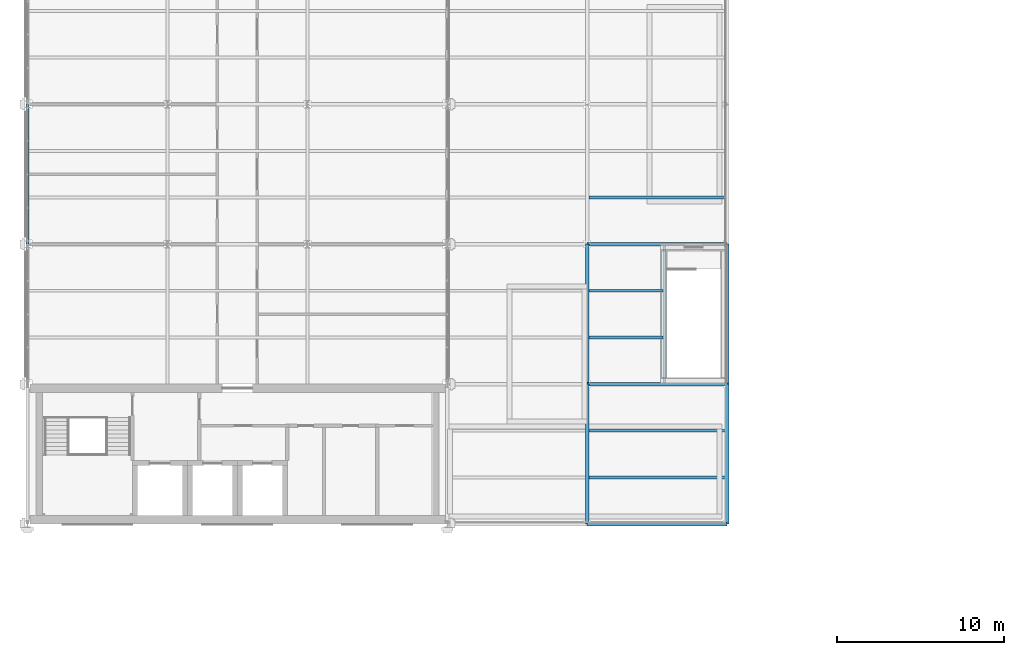
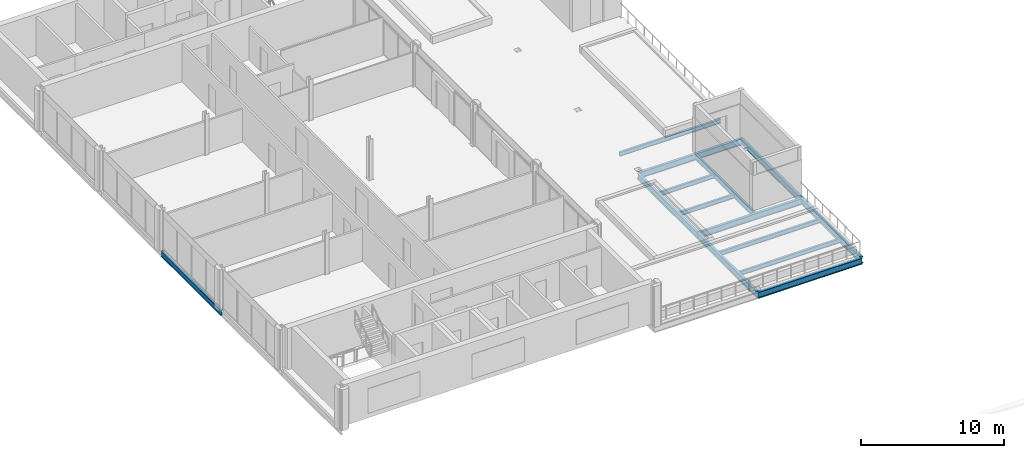
# One storey, part 11 of 32: 14 beams.
"""IFC4 building model written with IfcOpenShell, lengths in metres."""

import ifcopenshell
import ifcopenshell.guid

model = None  # the IFC model being written
_history = None  # IfcOwnerHistory: only IFC2X3 demands one
_inside = {}  # id of a spatial element -> (the spatial element, [elements in it])
_under = {}  # id of a project, library or spatial element -> (it, [spatial elements below it])
_declared = {}  # id of a project -> (the project, [libraries it declares])
_typed = {}  # id of a type object -> (the type object, [elements of that type])
_made_of = {}  # id of a material, layer set ... -> (it, [elements and type objects made of it])


def new_model(schema):
    """Start an empty IFC model of exactly this schema.

    Asked for "IFC4X3", IfcOpenShell would pick the latest addendum, in which some entities
    have other attributes; the version numbers below select the first issue.
    IFC2X3 requires an IfcOwnerHistory on every rooted entity: one is made here for all.
    """
    global model, _history
    if schema == "IFC4X3":
        model = ifcopenshell.file(schema_version=(4, 3, 0, 0))
    else:
        model = ifcopenshell.file(schema=schema)
    _inside.clear()
    _under.clear()
    _declared.clear()
    _typed.clear()
    _made_of.clear()
    _history = None
    if model.schema == "IFC2X3":
        org = make("IfcOrganization", Name="unknown")
        user = make(
            "IfcPersonAndOrganization",
            ThePerson=make("IfcPerson", FamilyName="unknown"),
            TheOrganization=org,
        )
        app = make(
            "IfcApplication",
            ApplicationDeveloper=org,
            Version="unknown",
            ApplicationFullName="unknown",
            ApplicationIdentifier="unknown",
        )
        _history = make(
            "IfcOwnerHistory",
            OwningUser=user,
            OwningApplication=app,
            ChangeAction="ADDED",
            CreationDate=0,
        )
    return model


def make(cls, **values):
    """One entity of the class cls with the attributes given. An attribute that is None is left unset."""
    return model.create_entity(
        cls, **{name: value for name, value in values.items() if value is not None}
    )


def rooted(cls, **values):
    """An entity with a GlobalId (a new one), such as an element, a storey or a relation."""
    return make(cls, GlobalId=ifcopenshell.guid.new(), OwnerHistory=_history, **values)


def si_unit(unit_type, name, prefix=None):
    """IfcSIUnit, for example si_unit("LENGTHUNIT", "METRE", prefix="MILLI")."""
    return make("IfcSIUnit", UnitType=unit_type, Prefix=prefix, Name=name)


def assignment(units):
    """IfcUnitAssignment: the units of a project."""
    return None if units is None else make("IfcUnitAssignment", Units=units)


def point(xyz):
    """IfcCartesianPoint."""
    return None if xyz is None else make("IfcCartesianPoint", Coordinates=xyz)


def direction(xyz):
    """IfcDirection."""
    return None if xyz is None else make("IfcDirection", DirectionRatios=xyz)


def frame(location, z_axis=None, x_axis=None):
    """IfcAxis2Placement3D, a coordinate frame: its origin and axes. An axis left out is left unset."""
    return make(
        "IfcAxis2Placement3D",
        Location=point(location),
        Axis=direction(z_axis),
        RefDirection=direction(x_axis),
    )


def frame_2d(location, x_axis=None):
    """IfcAxis2Placement2D, a coordinate frame in the plane: its origin and x axis."""
    return make(
        "IfcAxis2Placement2D", Location=point(location), RefDirection=direction(x_axis)
    )


def origin():
    """The frame at (0, 0, 0) with its axes left unset."""
    return frame((0.0, 0.0, 0.0))


def origin_2d():
    """The frame at (0, 0) in the plane with its x axis left unset."""
    return frame_2d((0.0, 0.0))


def place(relative_to, where):
    """IfcLocalPlacement: puts the frame where relative to a parent placement (None: the world)."""
    return make(
        "IfcLocalPlacement", PlacementRelTo=relative_to, RelativePlacement=where
    )


def context(
    kind, dimensions, precision=None, world=None, true_north=None, identifier=None
):
    """IfcGeometricRepresentationContext, for example the 3D "Model" context."""
    return make(
        "IfcGeometricRepresentationContext",
        ContextIdentifier=identifier,
        ContextType=kind,
        CoordinateSpaceDimension=dimensions,
        Precision=precision,
        WorldCoordinateSystem=world,
        TrueNorth=true_north,
    )


def subcontext(parent, identifier, kind, view, scale=None):
    """IfcGeometricRepresentationSubContext, for example "Body" below "Model"."""
    return make(
        "IfcGeometricRepresentationSubContext",
        ContextIdentifier=identifier,
        ContextType=kind,
        ParentContext=parent,
        TargetScale=scale,
        TargetView=view,
    )


def project(units=None, contexts=None):
    """IfcProject with its units and contexts."""
    return rooted(
        "IfcProject",
        Name="project",
        RepresentationContexts=contexts,
        UnitsInContext=assignment(units),
    )


def spatial(cls, under=None, at=None, **own):
    """A site, building, storey or space (cls), placed at a placement, below another one or the project."""
    s = rooted(cls, ObjectPlacement=at, **own)
    if under is not None:
        _under.setdefault(under.id(), (under, []))[1].append(s)
    return s


def profile(cls, at=None, kind="AREA", **sizes):
    """A parametric profile (cls). Its sizes go by their IFC names, for example OverallWidth=200.0."""
    return make(cls, ProfileType=kind, Position=at, **sizes)


def i_section(**sizes):
    """IfcIShapeProfileDef."""
    return profile("IfcIShapeProfileDef", **sizes)


def extrude(swept, where, along, depth):
    """IfcExtrudedAreaSolid: the profile swept, set in the frame where, extruded along a direction by depth."""
    return make(
        "IfcExtrudedAreaSolid",
        SweptArea=swept,
        Position=where,
        ExtrudedDirection=direction(along),
        Depth=depth,
    )


def shape(context_of_items, identifier, shape_type, items):
    """IfcShapeRepresentation: the items that make up one representation, for example the "Body"."""
    return make(
        "IfcShapeRepresentation",
        ContextOfItems=context_of_items,
        RepresentationIdentifier=identifier,
        RepresentationType=shape_type,
        Items=items,
    )


def material(Name=None, Category=None):
    """IfcMaterial."""
    return make("IfcMaterial", Name=Name, Category=Category)


def material_profile(
    of_material, cross_section, Name=None, Category=None, Priority=None
):
    """IfcMaterialProfile: a cross section and its material."""
    return make(
        "IfcMaterialProfile",
        Name=Name,
        Material=of_material,
        Profile=cross_section,
        Priority=Priority,
        Category=Category,
    )


def profile_set(profiles, Name=None, composite=None):
    """IfcMaterialProfileSet."""
    return make(
        "IfcMaterialProfileSet",
        Name=Name,
        MaterialProfiles=profiles,
        CompositeProfile=composite,
    )


def made_of(thing, what):
    """Note that an element or type object is made of a material, layer set ...; save() writes the relation."""
    if what is not None:
        _made_of.setdefault(what.id(), (what, []))[1].append(thing)
    return thing


def type_object(cls, material=None, **own):
    """A type object (cls), such as IfcWallType, which elements share."""
    return made_of(rooted(cls, **own), material)


def element(
    cls,
    number,
    at=None,
    inside=None,
    cuts=None,
    type_object=None,
    material=None,
    context=None,
    identifier="Body",
    shape_type=None,
    held_by="IfcProductDefinitionShape",
    body=None,
    shapes=None,
    **own,
):
    """One element of the class cls, such as IfcWall. Its Tag is "e" and its number.

    at: its placement. inside: the storey or other place that contains it. cuts: it is an
    opening in that element (IfcRelVoidsElement). A single representation is given by context,
    identifier, shape_type and body (its items); several are given by shapes. held_by: the class
    of the entity that holds the representations. save() writes the other relations.
    """
    e = rooted(cls, Tag="e%d" % number, ObjectPlacement=at, **own)
    if body is not None:
        shapes = [shape(context, identifier, shape_type, body)]
    if shapes is not None:
        e.Representation = make(held_by, Representations=shapes)
    if inside is not None:
        _inside.setdefault(inside.id(), (inside, []))[1].append(e)
    if cuts is not None:
        rooted(
            "IfcRelVoidsElement", RelatingBuildingElement=cuts, RelatedOpeningElement=e
        )
    if type_object is not None:
        _typed.setdefault(type_object.id(), (type_object, []))[1].append(e)
    return made_of(e, material)


def aggregate(whole, parts):
    """IfcRelAggregates: a whole, such as a stair, and the parts it consists of."""
    return rooted("IfcRelAggregates", RelatingObject=whole, RelatedObjects=parts)


def save(model, path):
    """Write the relations noted so far, then the file.

    IfcRelAggregates (storeys below a building ...), IfcRelContainedInSpatialStructure (elements
    in a storey), IfcRelDefinesByType, IfcRelAssociatesMaterial and IfcRelDeclares: one each for
    every whole, place, type object, material and project.
    """
    for whole, parts in _under.values():
        aggregate(whole, parts)
    for where, things in _inside.values():
        rooted(
            "IfcRelContainedInSpatialStructure",
            RelatedElements=things,
            RelatingStructure=where,
        )
    for kind, things in _typed.values():
        rooted("IfcRelDefinesByType", RelatedObjects=things, RelatingType=kind)
    for what, things in _made_of.values():
        rooted("IfcRelAssociatesMaterial", RelatedObjects=things, RelatingMaterial=what)
    for by, libraries in _declared.values():
        rooted("IfcRelDeclares", RelatingContext=by, RelatedDefinitions=libraries)
    model.write(path)


model = new_model("IFC4")

# Units and contexts
model_context = context("Model", 3, precision=1e-05, world=origin(), true_north=direction((0.0, 1.0)))
body_context = subcontext(model_context, "Body", "Model", "MODEL_VIEW")
ifc_project = project(units=[si_unit("LENGTHUNIT", "METRE"), si_unit("AREAUNIT", "SQUARE_METRE"), si_unit("VOLUMEUNIT", "CUBIC_METRE"), si_unit("PLANEANGLEUNIT", "RADIAN"), si_unit("MASSUNIT", "GRAM", prefix="KILO")], contexts=[model_context])

# Site, building, storey
site_placement = place(None, origin())
site = spatial("IfcSite", under=ifc_project, at=site_placement, CompositionType="ELEMENT")
building_placement = place(site_placement, origin())
building = spatial("IfcBuilding", under=site, at=building_placement, Name="Catenary Quay Ferry Terminal", CompositionType="ELEMENT")
storey_placement = place(building_placement, frame((0.0, 0.0, 17.10009765625)))
storey = spatial("IfcBuildingStorey", under=building, at=storey_placement, Name="L03", CompositionType="ELEMENT", Elevation=17.10009765625)

# Beams
ifc_material_1 = material(Name="Steel S355", Category="steel")
ifc_material_profile_1 = material_profile(ifc_material_1, i_section(OverallWidth=0.18994140625, OverallDepth=0.453369140625, WebThickness=0.008544921875, FlangeThickness=0.0126953125, at=origin_2d()), Name="UB 457x191x67")
ifc_profile_set_1 = profile_set([ifc_material_profile_1], Name="Steel S355")
beam_type_1 = type_object("IfcBeamType", Name="B1 UB 457x191x67", PredefinedType="BEAM", material=ifc_profile_set_1)
beam_1_placement = place(storey_placement, frame((25.199951171875, 176.39990234375, -0.47705078125), z_axis=(0.0, 1.0, 0.0), x_axis=(-1.0, 0.0, 0.0)))
element("IfcBeam", 1, at=beam_1_placement, inside=storey, type_object=beam_type_1, Name="Beam B1-012", PredefinedType="BEAM", context=body_context, shape_type="SweptSolid", body=[
    extrude(i_section(OverallWidth=0.18994140625, OverallDepth=0.453369140625, WebThickness=0.008544921875, FlangeThickness=0.0126953125, at=origin_2d()), origin(), (0.0, 0.0, 1.0), 8.400146484375),
])
beam_2_placement = place(storey_placement, frame((63.449951171875, 168.10400390625, -0.47705078125), z_axis=(0.0, 1.0, 0.0), x_axis=(-1.0, 0.0, 0.0)))
element("IfcBeam", 2, at=beam_2_placement, inside=storey, type_object=beam_type_1, Name="Beam B1-030", PredefinedType="BEAM", context=body_context, shape_type="SweptSolid", body=[
    extrude(i_section(OverallWidth=0.18994140625, OverallDepth=0.453369140625, WebThickness=0.008544921875, FlangeThickness=0.0126953125, at=origin_2d()), origin(), (0.0, 0.0, 1.0), 8.19189453125),
])
ifc_material_2 = material(Name="Steel S355", Category="steel")
ifc_material_profile_2 = material_profile(ifc_material_2, i_section(OverallWidth=0.208740234375, OverallDepth=0.5283203125, WebThickness=0.009521484375, FlangeThickness=0.01318359375, at=origin_2d()), Name="UB 533x210x82")
ifc_profile_set_2 = profile_set([ifc_material_profile_2], Name="Steel S355")
beam_type_2 = type_object("IfcBeamType", Name="B5 UB 533x210x82", PredefinedType="BEAM", material=ifc_profile_set_2)
for number, where, z_axis, x_axis, name in (
    (3, (58.800048828125, 159.60009765625, -0.51416015625), (1.0, 0.0, 0.0), (0.0, 1.0, 0.0), "Beam B5-002"),
    (4, (58.800048828125, 168.0, -0.51416015625), (1.0, 0.0, 0.0), (0.0, 1.0, 0.0), "Beam B5-004"),
    (5, (58.800048828125, 176.39990234375, -0.51416015625), (1.0, 0.0, 0.0), (0.0, 1.0, 0.0), "Beam B5-006"),
    (6, (58.800048828125, 159.60009765625, -0.51416015625), (0.0, 1.0, 0.0), (-1.0, 0.0, 0.0), "Beam B5-015"),
    (7, (58.800048828125, 168.0, -0.51416015625), (0.0, 1.0, 0.0), (-1.0, 0.0, 0.0), "Beam B5-016"),
    (8, (67.199951171875, 159.60009765625, -0.51416015625), (0.0, 1.0, 0.0), (-1.0, 0.0, 0.0), "Beam B5-021"),
    (9, (67.199951171875, 168.0, -0.51416015625), (0.0, 1.0, 0.0), (-1.0, 0.0, 0.0), "Beam B5-022"),
):
    element("IfcBeam", number, at=place(storey_placement, frame(where, z_axis=z_axis, x_axis=x_axis)), inside=storey, type_object=beam_type_2, Name=name, PredefinedType="BEAM", context=body_context, shape_type="SweptSolid", body=[
        extrude(i_section(OverallWidth=0.208740234375, OverallDepth=0.5283203125, WebThickness=0.009521484375, FlangeThickness=0.01318359375, at=origin_2d()), origin(), (0.0, 0.0, 1.0), 8.39990234375),
    ])
ifc_material_3 = material(Name="Steel S355", Category="steel")
ifc_material_profile_3 = material_profile(ifc_material_3, i_section(OverallWidth=0.169921875, OverallDepth=0.360107421875, WebThickness=0.008056640625, FlangeThickness=0.0126953125, at=origin_2d()), Name="IPE 360")
ifc_profile_set_3 = profile_set([ifc_material_profile_3], Name="Steel S355")
beam_type_3 = type_object("IfcBeamType", Name="B7 IPE 360", PredefinedType="BEAM", material=ifc_profile_set_3)
for number, where, z_axis, x_axis, name in (
    (10, (58.904052734375, 162.39990234375, -0.43017578125), (1.0, 0.0, 0.0), (0.0, 1.0, 0.0), "Beam B7-002"),
    (11, (58.904052734375, 165.199951171875, -0.43017578125), (1.0, 0.0, 0.0), (0.0, 1.0, 0.0), "Beam B7-004"),
):
    element("IfcBeam", number, at=place(storey_placement, frame(where, z_axis=z_axis, x_axis=x_axis)), inside=storey, type_object=beam_type_3, Name=name, PredefinedType="BEAM", context=body_context, shape_type="SweptSolid", body=[
        extrude(i_section(OverallWidth=0.169921875, OverallDepth=0.360107421875, WebThickness=0.008056640625, FlangeThickness=0.0126953125, at=origin_2d()), origin(), (0.0, 0.0, 1.0), 8.19189453125),
    ])
for number, where, z_axis, x_axis, name in (
    (12, (58.904052734375, 170.800048828125, -0.43017578125), (1.0, 0.0, 0.0), (0.0, 1.0, 0.0), "Beam B7-006"),
    (13, (58.904052734375, 173.60009765625, -0.43017578125), (1.0, 0.0, 0.0), (0.0, 1.0, 0.0), "Beam B7-008"),
):
    element("IfcBeam", number, at=place(storey_placement, frame(where, z_axis=z_axis, x_axis=x_axis)), inside=storey, type_object=beam_type_3, Name=name, PredefinedType="BEAM", context=body_context, shape_type="SweptSolid", body=[
        extrude(i_section(OverallWidth=0.169921875, OverallDepth=0.360107421875, WebThickness=0.008056640625, FlangeThickness=0.0126953125, at=origin_2d()), origin(), (0.0, 0.0, 1.0), 4.450927734375),
    ])
beam_3_placement = place(storey_placement, frame((58.904052734375, 179.199951171875, -0.43017578125), z_axis=(1.0, 0.0, 0.0), x_axis=(0.0, 1.0, 0.0)))
element("IfcBeam", 14, at=beam_3_placement, inside=storey, type_object=beam_type_3, Name="Beam B7-010", PredefinedType="BEAM", context=body_context, shape_type="SweptSolid", body=[
    extrude(i_section(OverallWidth=0.169921875, OverallDepth=0.360107421875, WebThickness=0.008056640625, FlangeThickness=0.0126953125, at=origin_2d()), origin(), (0.0, 0.0, 1.0), 8.19189453125),
])

save(model, "model.ifc")
